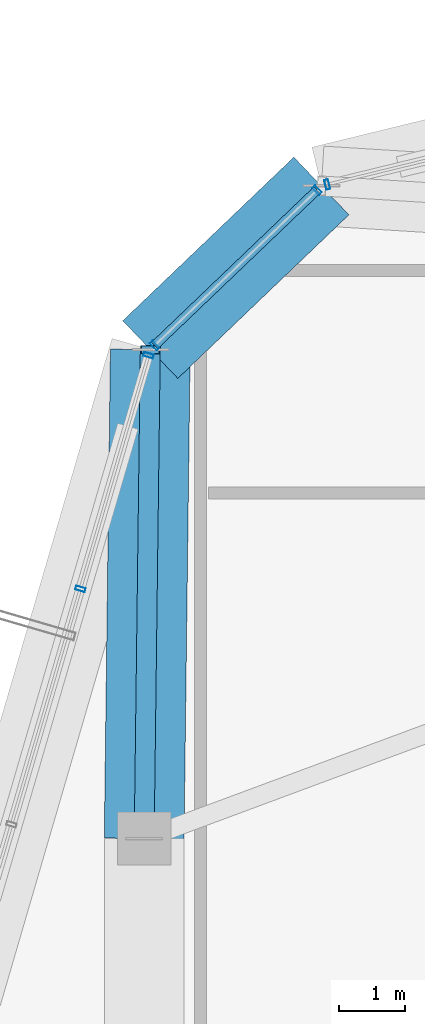
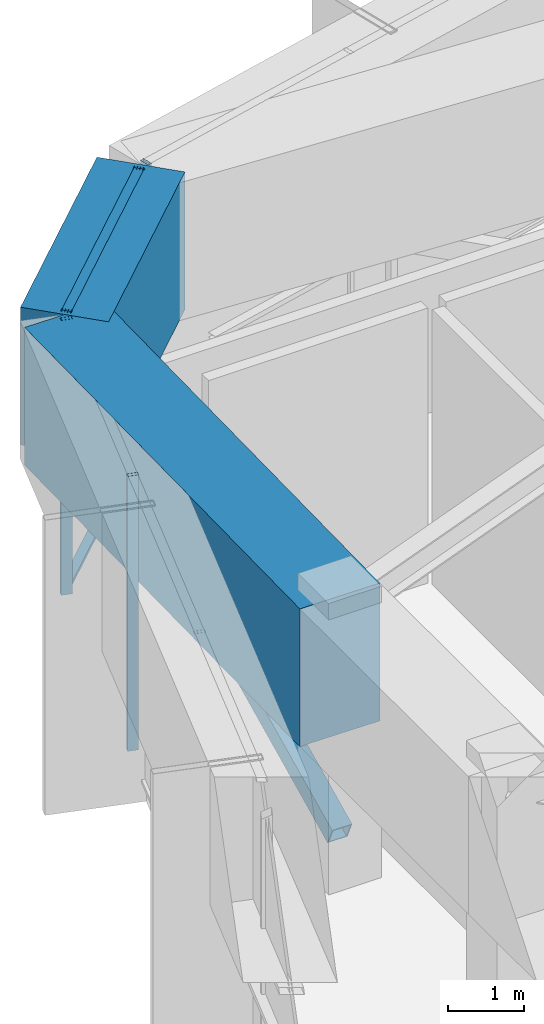
# One storey, part 18 of 39: 8 members, 2 beams, 3 elements without a shape of their own.
"""IFC4 building model written with IfcOpenShell, lengths in metres."""

from ifc_helpers import new_model, si_unit, direction, frame, origin, origin_2d, place, context, subcontext, project, spatial, rectangle, hollow_rectangle, extrude, source, transform, mapped, material, layer, layer_set, material_profile, profile_set, type_object, element, aggregate, save


model = new_model("IFC4")

# Units and contexts
model_context = context("Model", 3, precision=1e-05, world=origin(), true_north=direction((0.0, 1.0)))
body_context = subcontext(model_context, "Body", "Model", "MODEL_VIEW")
ifc_project = project(units=[si_unit("LENGTHUNIT", "METRE"), si_unit("AREAUNIT", "SQUARE_METRE"), si_unit("VOLUMEUNIT", "CUBIC_METRE"), si_unit("PLANEANGLEUNIT", "RADIAN"), si_unit("MASSUNIT", "GRAM", prefix="KILO")], contexts=[model_context])

# Site, building, storey
site_placement = place(None, origin())
site = spatial("IfcSite", under=ifc_project, at=site_placement, CompositionType="ELEMENT")
building_placement = place(site_placement, origin())
building = spatial("IfcBuilding", under=site, at=building_placement, Name="Veraguas Prism Commons", CompositionType="ELEMENT")
storey_placement = place(building_placement, frame((0.0, 0.0, 264.25)))
storey = spatial("IfcBuildingStorey", under=building, at=storey_placement, Name="L75", CompositionType="ELEMENT", Elevation=264.25)

# Beams
ifc_material_1 = material(Name="Concrete C50/60", Category="concrete")
ifc_material_profile_1 = material_profile(ifc_material_1, rectangle(XDim=1.199951171875, YDim=2.199951171875, at=origin_2d()), Name="RC1200X2200")
ifc_profile_set_1 = profile_set([ifc_material_profile_1], Name="Concrete C50/60")
beam_type = type_object("IfcBeamType", Name="Podium Transfer Girder RC 1200x2200", PredefinedType="BEAM", material=ifc_profile_set_1)
beam_1_placement = place(storey_placement, frame((12.86669921875, 38.219482421875, 3.2900390625), z_axis=(-0.722760918554, -0.691098151214, 0.0), x_axis=(0.691098151214, -0.722760918554, 0.0)))
element("IfcBeam", 1, at=beam_1_placement, inside=storey, type_object=beam_type, Name="Crown Base Ring Beam L75-05", PredefinedType="BEAM", context=body_context, shape_type="SweptSolid", body=[
    extrude(rectangle(XDim=1.199951171875, YDim=2.199951171875, at=origin_2d()), origin(), (0.0, 0.0, 1.0), 3.562255859375),
])
beam_2_placement = place(storey_placement, frame((10.199951171875, 28.39990234375, 3.2900390625), z_axis=(0.012508561083, 0.999921764889, 0.0), x_axis=(-0.999921764889, 0.012508561083, 0.0)))
element("IfcBeam", 2, at=beam_2_placement, inside=storey, type_object=beam_type, Name="Crown Rib Support Girder L75-06", PredefinedType="BEAM", context=body_context, shape_type="SweptSolid", body=[
    extrude(rectangle(XDim=1.199951171875, YDim=2.199951171875, at=origin_2d()), origin(), (0.0, 0.0, 1.0), 7.358154296875),
])

# Member
ifc_material_2 = material(Name="Steel ASTM A500 Grade C", Category="steel")
ifc_material_profile_2 = material_profile(ifc_material_2, hollow_rectangle(XDim=0.300048828125, YDim=0.300048828125, WallThickness=0.01611328125, at=origin_2d()), Name="HSS300X300X16")
ifc_profile_set_2 = profile_set([ifc_material_profile_2], Name="Steel ASTM A500 Grade C")
member_type_1 = type_object("IfcMemberType", Name="Sky Pool Bracket Strut HSS 300x300x16", PredefinedType="STRUT", material=ifc_profile_set_2)
member_1_placement = place(storey_placement, frame((10.199951171875, 28.39990234375, 0.60009765625), z_axis=(0.011390178791, 0.91051941175, 0.413309405473), x_axis=(-0.999921764889, 0.012508561083, 0.0)))
element("IfcMember", 3, at=member_1_placement, inside=storey, type_object=member_type_1, Name="Crown Base Raker Strut L75-06", PredefinedType="STRUT", context=body_context, shape_type="SweptSolid", body=[
    extrude(hollow_rectangle(XDim=0.300048828125, YDim=0.300048828125, WallThickness=0.01611328125, at=origin_2d()), origin(), (0.0, 0.0, 1.0), 8.080810546875),
])

# Curtain wall, members
ifc_material_3 = material(Name="Anodised aluminium EN AW-6063 T6", Category="aluminium")
ifc_layer = layer(ifc_material_3, 0.14990234375, Name="Unitised Flush Curtain Wall Zone 4", Category="aluminium")
ifc_layer_set = layer_set([ifc_layer], Name="Anodised aluminium EN AW-6063 T6")
curtain_wall_type = type_object("IfcCurtainWallType", Name="Unitised Flush Curtain Wall Zone 4", PredefinedType="NOTDEFINED", material=ifc_layer_set)
curtain_wall_1_placement = place(storey_placement, origin())
curtain_wall_1 = element("IfcCurtainWall", 4, at=curtain_wall_1_placement, inside=storey, type_object=curtain_wall_type, Name="Chamfer Curtain Wall L75-C3", PredefinedType="NOTDEFINED")
ifc_material_profile_3 = material_profile(ifc_material_3, hollow_rectangle(XDim=0.054931640625, YDim=0.135009765625, WallThickness=0.0029296875, at=origin_2d()), Name="AL55X135X3")
ifc_profile_set_3 = profile_set([ifc_material_profile_3], Name="Anodised aluminium EN AW-6063 T6")
member_type_2 = type_object("IfcMemberType", Name="Curtain Wall Transom Standard AL 55x135x3", PredefinedType="USERDEFINED", material=ifc_profile_set_3)
shared_shape_1 = source(origin(), body_context, "Body", "SweptSolid", [
    extrude(hollow_rectangle(XDim=0.054931640625, YDim=0.135009765625, WallThickness=0.0029296875, at=origin_2d()), origin(), (0.0, 0.0, 1.0), 3.38232421875),
])
member_2_placement = place(storey_placement, frame((12.801513671875, 38.157470703125, 0.027587890625), z_axis=(-0.722737472586, -0.69112267053, 0.0), x_axis=(0.0, 0.0, 1.0)))
member_2 = element("IfcMember", 5, at=member_2_placement, type_object=member_type_2, Name="CW-Z4 Transom 1", ObjectType="TRANSOM", PredefinedType="USERDEFINED", context=body_context, shape_type="MappedRepresentation", body=[
    mapped(shared_shape_1, transform((0.0, 0.0, 0.0), scale=1.0)),
])
member_3_placement = place(storey_placement, frame((12.801513671875, 38.157470703125, 4.362548828125), z_axis=(-0.722737472586, -0.69112267053, 0.0), x_axis=(0.0, 0.0, 1.0)))
member_3 = element("IfcMember", 6, at=member_3_placement, type_object=member_type_2, Name="CW-Z4 Transom 2", ObjectType="TRANSOM", PredefinedType="USERDEFINED", context=body_context, shape_type="MappedRepresentation", body=[
    mapped(shared_shape_1, transform((0.0, 0.0, 0.0), scale=1.0)),
])

# Curtain wall, member
curtain_wall_2_placement = place(storey_placement, origin())
curtain_wall_2 = element("IfcCurtainWall", 7, at=curtain_wall_2_placement, inside=storey, type_object=curtain_wall_type, Name="Tower Facade Curtain Wall L75-F2", PredefinedType="NOTDEFINED")
ifc_material_profile_4 = material_profile(ifc_material_3, hollow_rectangle(XDim=0.06005859375, YDim=0.14990234375, WallThickness=0.0029296875, at=origin_2d()), Name="AL60X150X3")
ifc_profile_set_4 = profile_set([ifc_material_profile_4], Name="Anodised aluminium EN AW-6063 T6")
member_type_3 = type_object("IfcMemberType", Name="Curtain Wall Mullion Upper AL 60x150x3", PredefinedType="MULLION", material=ifc_profile_set_4)
shared_shape_2 = source(origin(), body_context, "Body", "SweptSolid", [
    extrude(hollow_rectangle(XDim=0.06005859375, YDim=0.14990234375, WallThickness=0.0029296875, at=origin_2d()), origin(), (0.0, 0.0, 1.0), 4.389892578125),
])
member_4_placement = place(storey_placement, frame((12.9541015625, 38.240966796875, 0.0), z_axis=(0.0, 0.0, 1.0), x_axis=(-0.97146556079, -0.237180657305, 0.0)))
member_4 = element("IfcMember", 8, at=member_4_placement, type_object=member_type_3, Name="CW-Z4 Mullion 5", PredefinedType="MULLION", context=body_context, shape_type="MappedRepresentation", body=[
    mapped(shared_shape_2, transform((0.0, 0.0, 0.0), scale=1.0)),
])
aggregate(curtain_wall_2, [member_4])

# Curtain wall, members
curtain_wall_3_placement = place(storey_placement, origin())
curtain_wall_3 = element("IfcCurtainWall", 9, at=curtain_wall_3_placement, inside=storey, type_object=curtain_wall_type, Name="Tower Facade Curtain Wall L75-F3", PredefinedType="NOTDEFINED")
member_5_placement = place(storey_placement, frame((10.2666015625, 35.671142578125, 0.0), z_axis=(0.0, 0.0, 1.0), x_axis=(-0.28033835796, -0.959901247554, 0.0)))
member_5 = element("IfcMember", 10, at=member_5_placement, type_object=member_type_3, Name="CW-Z4 Mullion 1", PredefinedType="MULLION", context=body_context, shape_type="MappedRepresentation", body=[
    mapped(shared_shape_2, transform((0.0, 0.0, 0.0), scale=1.0)),
])
member_6_placement = place(storey_placement, frame((9.240234375, 32.15625, 0.0), z_axis=(0.0, 0.0, 1.0), x_axis=(-0.28033835796, -0.959901247554, 0.0)))
member_6 = element("IfcMember", 11, at=member_6_placement, type_object=member_type_3, Name="CW-Z4 Mullion 2", PredefinedType="MULLION", context=body_context, shape_type="MappedRepresentation", body=[
    mapped(shared_shape_2, transform((0.0, 0.0, 0.0), scale=1.0)),
])
aggregate(curtain_wall_3, [member_5, member_6])

# Member
member_7_placement = place(storey_placement, frame((12.801513671875, 38.157470703125, 0.0), z_axis=(0.0, 0.0, 1.0), x_axis=(-0.722733175919, -0.691127163716, 0.0)))
member_7 = element("IfcMember", 12, at=member_7_placement, type_object=member_type_3, Name="CW-Z4 Mullion 1", PredefinedType="MULLION", context=body_context, shape_type="MappedRepresentation", body=[
    mapped(shared_shape_2, transform((0.0, 0.0, 0.0), scale=1.0)),
])

member_8_placement = place(storey_placement, frame((10.35693359375, 35.81982421875, 0.0), z_axis=(0.0, 0.0, 1.0), x_axis=(-0.722733175919, -0.691127163716, 0.0)))
member_8 = element("IfcMember", 13, at=member_8_placement, type_object=member_type_3, Name="CW-Z4 Mullion 2", PredefinedType="MULLION", context=body_context, shape_type="MappedRepresentation", body=[
    mapped(shared_shape_2, transform((0.0, 0.0, 0.0), scale=1.0)),
])

aggregate(curtain_wall_1, [member_7, member_8, member_2, member_3])

save(model, "model.ifc")
